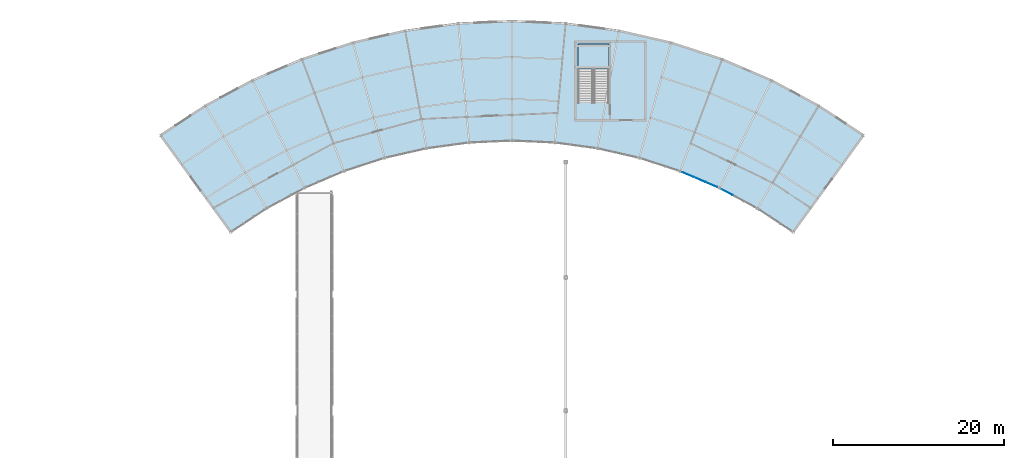
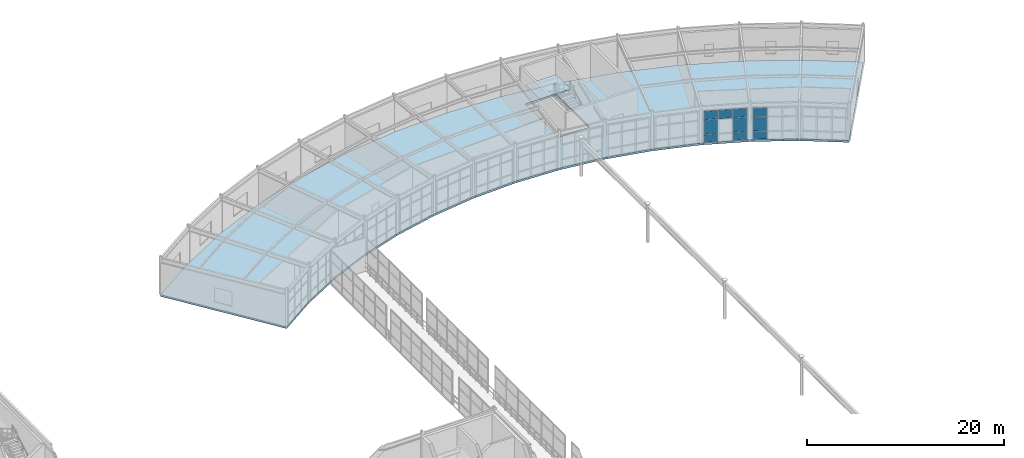
# One storey, part 90 of 116: 10 plates, 2 slabs, 3 elements without a shape of their own.
"""IFC4 building model written with IfcOpenShell, lengths in metres."""

from ifc_helpers import new_model, si_unit, direction, frame, origin, origin_2d, place, context, subcontext, project, spatial, polyline, rectangle, outline, extrude, material, layer, layer_set, type_object, element, aggregate, save


model = new_model("IFC4")

# Units and contexts
model_context = context("Model", 3, precision=1e-05, world=origin(), true_north=direction((0.0, 1.0)))
body_context = subcontext(model_context, "Body", "Model", "MODEL_VIEW")
ifc_project = project(units=[si_unit("LENGTHUNIT", "METRE"), si_unit("AREAUNIT", "SQUARE_METRE"), si_unit("VOLUMEUNIT", "CUBIC_METRE"), si_unit("PLANEANGLEUNIT", "RADIAN"), si_unit("MASSUNIT", "GRAM", prefix="KILO")], contexts=[model_context])

# Site, building, storey
site_placement = place(None, origin())
site = spatial("IfcSite", under=ifc_project, at=site_placement, CompositionType="ELEMENT")
building_placement = place(site_placement, origin())
building = spatial("IfcBuilding", under=site, at=building_placement, Name="Selat Folded Stagehouse", CompositionType="ELEMENT")
storey_placement = place(building_placement, frame((0.0, 0.0, 5.39990234375)))
storey = spatial("IfcBuildingStorey", under=building, at=storey_placement, Name="L01", CompositionType="ELEMENT", Elevation=5.39990234375)

# Curtain wall, plates
ifc_material_1 = material(Name="Aluminium 6063-T6", Category="aluminium")
ifc_layer_1 = layer(ifc_material_1, 0.18994140625)
ifc_layer_set_1 = layer_set([ifc_layer_1], Name="Aluminium 6063-T6")
curtain_wall_type = type_object("IfcCurtainWallType", Name="CW-REH-ARC", PredefinedType="NOTDEFINED", material=ifc_layer_set_1)
curtain_wall_1_placement = place(storey_placement, origin())
curtain_wall_1 = element("IfcCurtainWall", 1, at=curtain_wall_1_placement, inside=storey, type_object=curtain_wall_type, Name="L01 curtain wall CW-REH-L01-11", PredefinedType="NOTDEFINED")
ifc_material_2 = material(Name="Laminated low-E double glazing", Category="glass")
ifc_layer_2 = layer(ifc_material_2, 0.031982421875)
ifc_layer_set_2 = layer_set([ifc_layer_2], Name="Laminated low-E double glazing")
plate_type = type_object("IfcPlateType", Name="CWP-GLZ-DGU32", PredefinedType="CURTAIN_PANEL", material=ifc_layer_set_2)
plate_1_placement = place(storey_placement, frame((115.76025390625, 88.85498046875, 0.06494140625), z_axis=(0.0, 0.0, 1.0), x_axis=(-0.919533245639, 0.393012226483, 0.0)))
plate_1 = element("IfcPlate", 2, at=plate_1_placement, type_object=plate_type, Name="CW-06 panel 1.1", PredefinedType="CURTAIN_PANEL", context=body_context, shape_type="SweptSolid", body=[
    extrude(rectangle(XDim=1.418212890625, YDim=0.031982421875, at=origin_2d()), origin(), (0.0, 0.0, 1.0), 0.952392578125),
])
plate_2_placement = place(storey_placement, frame((115.76025390625, 88.85498046875, 1.08251953125), z_axis=(0.0, 0.0, 1.0), x_axis=(-0.919533245639, 0.393012226483, 0.0)))
plate_2 = element("IfcPlate", 3, at=plate_2_placement, type_object=plate_type, Name="CW-06 panel 1.2", PredefinedType="CURTAIN_PANEL", context=body_context, shape_type="SweptSolid", body=[
    extrude(rectangle(XDim=1.418212890625, YDim=0.031982421875, at=origin_2d()), origin(), (0.0, 0.0, 1.0), 1.735107421875),
])
plate_3_placement = place(storey_placement, frame((115.76025390625, 88.85498046875, 2.8828125), z_axis=(0.0, 0.0, 1.0), x_axis=(-0.919533245639, 0.393012226483, 0.0)))
plate_3 = element("IfcPlate", 4, at=plate_3_placement, type_object=plate_type, Name="CW-06 panel 1.3", PredefinedType="CURTAIN_PANEL", context=body_context, shape_type="SweptSolid", body=[
    extrude(rectangle(XDim=1.418212890625, YDim=0.031982421875, at=origin_2d()), origin(), (0.0, 0.0, 1.0), 1.052490234375),
])
plate_4_placement = place(storey_placement, frame((114.38720703125, 89.441650390625, 2.8828125), z_axis=(0.0, 0.0, 1.0), x_axis=(-0.919533245639, 0.393012226483, 0.0)))
plate_4 = element("IfcPlate", 5, at=plate_4_placement, type_object=plate_type, Name="CW-06 panel 2.3", PredefinedType="CURTAIN_PANEL", context=body_context, shape_type="SweptSolid", body=[
    extrude(rectangle(XDim=1.4482421875, YDim=0.031982421875, at=origin_2d()), origin(), (0.0, 0.0, 1.0), 1.052490234375),
])
plate_5_placement = place(storey_placement, frame((113.01416015625, 90.028564453125, 0.06494140625), z_axis=(0.0, 0.0, 1.0), x_axis=(-0.919533245639, 0.393012226483, 0.0)))
plate_5 = element("IfcPlate", 6, at=plate_5_placement, type_object=plate_type, Name="CW-06 panel 3.1", PredefinedType="CURTAIN_PANEL", context=body_context, shape_type="SweptSolid", body=[
    extrude(rectangle(XDim=1.418212890625, YDim=0.031982421875, at=origin_2d()), origin(), (0.0, 0.0, 1.0), 0.952392578125),
])
plate_6_placement = place(storey_placement, frame((113.01416015625, 90.028564453125, 1.08251953125), z_axis=(0.0, 0.0, 1.0), x_axis=(-0.919533245639, 0.393012226483, 0.0)))
plate_6 = element("IfcPlate", 7, at=plate_6_placement, type_object=plate_type, Name="CW-06 panel 3.2", PredefinedType="CURTAIN_PANEL", context=body_context, shape_type="SweptSolid", body=[
    extrude(rectangle(XDim=1.418212890625, YDim=0.031982421875, at=origin_2d()), origin(), (0.0, 0.0, 1.0), 1.735107421875),
])
plate_7_placement = place(storey_placement, frame((113.01416015625, 90.028564453125, 2.8828125), z_axis=(0.0, 0.0, 1.0), x_axis=(-0.919533245639, 0.393012226483, 0.0)))
plate_7 = element("IfcPlate", 8, at=plate_7_placement, type_object=plate_type, Name="CW-06 panel 3.3", PredefinedType="CURTAIN_PANEL", context=body_context, shape_type="SweptSolid", body=[
    extrude(rectangle(XDim=1.418212890625, YDim=0.031982421875, at=origin_2d()), origin(), (0.0, 0.0, 1.0), 1.052490234375),
])
aggregate(curtain_wall_1, [plate_1, plate_2, plate_3, plate_4, plate_5, plate_6, plate_7])

curtain_wall_2_placement = place(storey_placement, origin())
curtain_wall_2 = element("IfcCurtainWall", 9, at=curtain_wall_2_placement, inside=storey, type_object=curtain_wall_type, Name="L01 curtain wall CW-REH-L01-12", PredefinedType="NOTDEFINED")
plate_8_placement = place(storey_placement, frame((117.594970703125, 87.971435546875, 0.06494140625), z_axis=(0.0, 0.0, 1.0), x_axis=(-0.880600927119, 0.473858636259, 0.0)))
plate_8 = element("IfcPlate", 10, at=plate_8_placement, type_object=plate_type, Name="CW-06 panel 3.1", PredefinedType="CURTAIN_PANEL", context=body_context, shape_type="SweptSolid", body=[
    extrude(rectangle(XDim=1.418212890625, YDim=0.031982421875, at=origin_2d()), origin(), (0.0, 0.0, 1.0), 0.952392578125),
])
plate_9_placement = place(storey_placement, frame((117.594970703125, 87.971435546875, 1.08251953125), z_axis=(0.0, 0.0, 1.0), x_axis=(-0.880600927119, 0.473858636259, 0.0)))
plate_9 = element("IfcPlate", 11, at=plate_9_placement, type_object=plate_type, Name="CW-06 panel 3.2", PredefinedType="CURTAIN_PANEL", context=body_context, shape_type="SweptSolid", body=[
    extrude(rectangle(XDim=1.418212890625, YDim=0.031982421875, at=origin_2d()), origin(), (0.0, 0.0, 1.0), 1.735107421875),
])
plate_10_placement = place(storey_placement, frame((117.594970703125, 87.971435546875, 2.8828125), z_axis=(0.0, 0.0, 1.0), x_axis=(-0.880600927119, 0.473858636259, 0.0)))
plate_10 = element("IfcPlate", 12, at=plate_10_placement, type_object=plate_type, Name="CW-06 panel 3.3", PredefinedType="CURTAIN_PANEL", context=body_context, shape_type="SweptSolid", body=[
    extrude(rectangle(XDim=1.418212890625, YDim=0.031982421875, at=origin_2d()), origin(), (0.0, 0.0, 1.0), 1.052490234375),
])
aggregate(curtain_wall_2, [plate_8, plate_9, plate_10])

# Slab
ifc_material_3 = material(Name="Concrete C40/50", Category="concrete")
ifc_layer_3 = layer(ifc_material_3, 0.219970703125)
ifc_layer_set_3 = layer_set([ifc_layer_3], Name="Concrete C40/50")
slab_type_1 = type_object("IfcSlabType", Name="SLAB-FLR-220", PredefinedType="FLOOR", material=ifc_layer_set_3)
slab_1_placement = place(storey_placement, frame((0.0, 0.0, -0.219970703125)))
element("IfcSlab", 13, at=slab_1_placement, inside=storey, type_object=slab_type_1, Name="L01 V6 floor slab SL-L01-V6", PredefinedType="FLOOR", context=body_context, shape_type="SweptSolid", body=[
    extrude(outline(polyline([(59.48388671875, 83.304931640625), (63.677490234375, 86.072998046875), (68.1025390625, 88.454345703125), (72.722900390625, 90.42919921875), (77.501953125, 91.98193359375), (82.40087890625, 93.10009765625), (87.380126953125, 93.774658203125), (92.39990234375, 94.0), (97.419921875, 93.774658203125), (102.399169921875, 93.10009765625), (107.298095703125, 91.98193359375), (112.076904296875, 90.42919921875), (116.697509765625, 88.454345703125), (121.122314453125, 86.072998046875), (125.31591796875, 83.304931640625), (133.544921875, 94.631103515625), (128.302978515625, 98.09130859375), (122.77197265625, 101.06787109375), (116.99609375, 103.536376953125), (111.022705078125, 105.477294921875), (104.89892578125, 106.875), (98.6748046875, 107.71826171875), (92.39990234375, 108.0), (86.125244140625, 107.71826171875), (79.90087890625, 106.875), (73.77734375, 105.477294921875), (67.8037109375, 103.536376953125), (62.028076171875, 101.06787109375), (56.4970703125, 98.09130859375), (51.2548828125, 94.631103515625), (59.48388671875, 83.304931640625)]), holes=[polyline([(103.75, 105.330078125), (103.75, 98.56005859375), (100.14990234375, 98.56005859375), (100.14990234375, 105.330078125), (103.75, 105.330078125)])]), origin(), (0.0, 0.0, 1.0), 0.219970703125),
])

# Stair, slab
stair_type = type_object("IfcStairType", Name="STR-DOG-1720-30R", PredefinedType="HALF_TURN_STAIR", material=ifc_material_3)
stair_placement = place(storey_placement, origin())
stair = element("IfcStair", 14, at=stair_placement, inside=storey, type_object=stair_type, Name="L01 Core 6 Rehearsal East Core", PredefinedType="HALF_TURN_STAIR")
ifc_layer_4 = layer(ifc_material_3, 0.199951171875)
ifc_layer_set_4 = layer_set([ifc_layer_4], Name="Concrete C40/50")
slab_type_2 = type_object("IfcSlabType", Name="SLAB-STR-LDG-200", PredefinedType="LANDING", material=ifc_layer_set_4)
slab_2_placement = place(storey_placement, frame((0.0, 0.0, 2.2001953125)))
slab_2 = element("IfcSlab", 15, at=slab_2_placement, type_object=slab_type_2, Name="ST-1720-30R landing 1", PredefinedType="LANDING", context=body_context, shape_type="SweptSolid", body=[
    extrude(outline(polyline([(103.75, 102.389892578125), (103.75, 105.330078125), (100.14990234375, 105.330078125), (100.14990234375, 102.389892578125), (103.75, 102.389892578125)])), origin(), (0.0, 0.0, 1.0), 0.199951171875),
])
aggregate(stair, [slab_2])

save(model, "model.ifc")
